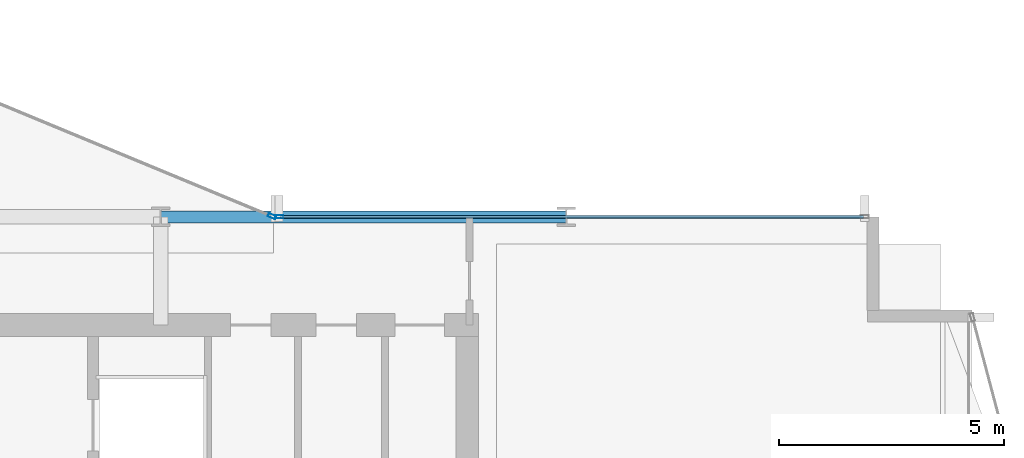
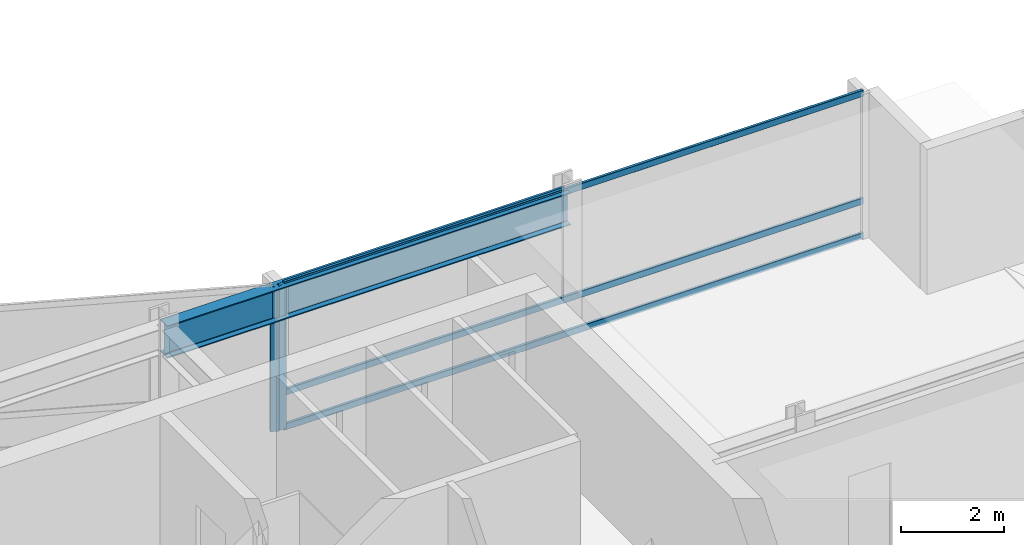
# One storey, part 13 of 28: 5 members, 1 beam, 2 elements without a shape of their own.
"""IFC4 building model written with IfcOpenShell, lengths in metres."""

from ifc_helpers import new_model, si_unit, direction, frame, origin, origin_2d, place, context, subcontext, project, spatial, hollow_rectangle, i_section, extrude, material, layer, layer_set, material_profile, profile_set, type_object, element, aggregate, save


model = new_model("IFC4")

# Units and contexts
model_context = context("Model", 3, precision=1e-05, world=origin(), true_north=direction((0.0, 1.0)))
body_context = subcontext(model_context, "Body", "Model", "MODEL_VIEW")
ifc_project = project(units=[si_unit("LENGTHUNIT", "METRE"), si_unit("AREAUNIT", "SQUARE_METRE"), si_unit("VOLUMEUNIT", "CUBIC_METRE"), si_unit("PLANEANGLEUNIT", "RADIAN"), si_unit("MASSUNIT", "GRAM", prefix="KILO")], contexts=[model_context])

# Site, building, storey
site_placement = place(None, origin())
site = spatial("IfcSite", under=ifc_project, at=site_placement, CompositionType="ELEMENT")
building_placement = place(site_placement, origin())
building = spatial("IfcBuilding", under=site, at=building_placement, Name="Solvaryn Broadcast Tower", CompositionType="ELEMENT")
storey_placement = place(building_placement, frame((0.0, 0.0, 154.39990234375)))
storey = spatial("IfcBuildingStorey", under=building, at=storey_placement, Name="L38", CompositionType="ELEMENT", Elevation=154.39990234375)

# Beam
ifc_material_1 = material(Name="Steel ASTM A992 Grade 50", Category="steel")
ifc_material_profile_1 = material_profile(ifc_material_1, i_section(OverallWidth=0.26708984375, OverallDepth=0.76611328125, WebThickness=0.014892578125, FlangeThickness=0.023681640625, FilletRadius=0.01806640625, at=origin_2d()))
ifc_profile_set_1 = profile_set([ifc_material_profile_1], Name="Steel ASTM A992 Grade 50")
beam_type = type_object("IfcBeamType", Name="BM-SP2-W30X124", PredefinedType="USERDEFINED", material=ifc_profile_set_1)
beam_placement = place(storey_placement, frame((36.0, 27.0, 3.037109375), z_axis=(1.0, 0.0, 0.0), x_axis=(0.0, 1.0, 0.0)))
element("IfcBeam", 1, at=beam_placement, inside=storey, type_object=beam_type, Name="L38 Spandrel Beam X (36-45 @ Y=27)", ObjectType="SPANDREL", PredefinedType="USERDEFINED", context=body_context, shape_type="SweptSolid", body=[
    extrude(i_section(OverallWidth=0.26708984375, OverallDepth=0.76611328125, WebThickness=0.014892578125, FlangeThickness=0.023681640625, FilletRadius=0.01806640625, at=origin_2d()), origin(), (0.0, 0.0, 1.0), 9.0),
])

# Curtain wall, member
ifc_material_2 = material(Name="Aluminium and Terracotta Unitised Curtain Wall", Category="masonry")
ifc_layer = layer(ifc_material_2, 0.199951171875)
ifc_layer_set = layer_set([ifc_layer], Name="CW-SYS2-LOWMID")
curtain_wall_type = type_object("IfcCurtainWallType", Name="CW-SYS2-LOWMID", PredefinedType="NOTDEFINED", material=ifc_layer_set)
curtain_wall_1_placement = place(storey_placement, origin())
curtain_wall_1 = element("IfcCurtainWall", 2, at=curtain_wall_1_placement, inside=storey, type_object=curtain_wall_type, Name="L38 Curtain Wall CN1", PredefinedType="NOTDEFINED")
ifc_material_3 = material(Name="Anodised Aluminium 6063-T6", Category="aluminium")
ifc_material_profile_2 = material_profile(ifc_material_3, hollow_rectangle(XDim=0.074951171875, YDim=0.179931640625, WallThickness=0.00390625, InnerFilletRadius=0.00390625, OuterFilletRadius=0.008056640625, at=origin_2d()))
ifc_profile_set_2 = profile_set([ifc_material_profile_2], Name="Anodised Aluminium 6063-T6")
member_type_1 = type_object("IfcMemberType", Name="CW-MUL-180", PredefinedType="MULLION", material=ifc_profile_set_2)
member_1_placement = place(storey_placement, frame((38.47216796875, 27.011474609375, 0.0), z_axis=(0.0, 0.0, 1.0), x_axis=(-0.382646127145, -0.923894983957, 0.0)))
member_1 = element("IfcMember", 3, at=member_1_placement, type_object=member_type_1, Name="CWS2 mullion 1", PredefinedType="MULLION", context=body_context, shape_type="SweptSolid", body=[
    extrude(hollow_rectangle(XDim=0.074951171875, YDim=0.179931640625, WallThickness=0.00390625, InnerFilletRadius=0.00390625, OuterFilletRadius=0.008056640625, at=origin_2d()), origin(), (0.0, 0.0, 1.0), 3.420166015625),
])
aggregate(curtain_wall_1, [member_1])

# Curtain wall, members
curtain_wall_2_placement = place(storey_placement, origin())
curtain_wall_2 = element("IfcCurtainWall", 4, at=curtain_wall_2_placement, inside=storey, type_object=curtain_wall_type, Name="L38 Curtain Wall IH", PredefinedType="NOTDEFINED")
member_2_placement = place(storey_placement, frame((38.6298828125, 27.0, 0.0), z_axis=(0.0, 0.0, 1.0), x_axis=(0.0, 1.0, 0.0)))
member_2 = element("IfcMember", 5, at=member_2_placement, type_object=member_type_1, Name="CWS2 mullion 1", PredefinedType="MULLION", context=body_context, shape_type="SweptSolid", body=[
    extrude(hollow_rectangle(XDim=0.074951171875, YDim=0.179931640625, WallThickness=0.00390625, InnerFilletRadius=0.00390625, OuterFilletRadius=0.008056640625, at=origin_2d()), origin(), (0.0, 0.0, 1.0), 3.420166015625),
])
ifc_material_4 = material(Name="Anodised Aluminium 6063-T6", Category="aluminium")
ifc_material_profile_3 = material_profile(ifc_material_4, hollow_rectangle(XDim=0.06494140625, YDim=0.14990234375, WallThickness=0.00390625, InnerFilletRadius=0.00390625, OuterFilletRadius=0.008056640625, at=origin_2d()))
ifc_profile_set_3 = profile_set([ifc_material_profile_3], Name="Anodised Aluminium 6063-T6")
member_type_2 = type_object("IfcMemberType", Name="CW-TRN-150", PredefinedType="USERDEFINED", material=ifc_profile_set_3)
member_3_placement = place(storey_placement, frame((38.659912109375, 27.0, 0.030029296875), z_axis=(1.0, 0.0, 0.0), x_axis=(0.0, 1.0, 0.0)))
member_3 = element("IfcMember", 6, at=member_3_placement, type_object=member_type_2, Name="CWS2 transom 1.1", ObjectType="TRANSOM", PredefinedType="USERDEFINED", context=body_context, shape_type="SweptSolid", body=[
    extrude(hollow_rectangle(XDim=0.06494140625, YDim=0.14990234375, WallThickness=0.00390625, InnerFilletRadius=0.00390625, OuterFilletRadius=0.008056640625, at=origin_2d()), origin(), (0.0, 0.0, 1.0), 12.93017578125),
])
member_4_placement = place(storey_placement, frame((38.659912109375, 27.0, 0.85009765625), z_axis=(1.0, 0.0, 0.0), x_axis=(0.0, 1.0, 0.0)))
member_4 = element("IfcMember", 7, at=member_4_placement, type_object=member_type_2, Name="CWS2 transom 1.2", ObjectType="TRANSOM", PredefinedType="USERDEFINED", context=body_context, shape_type="SweptSolid", body=[
    extrude(hollow_rectangle(XDim=0.06494140625, YDim=0.14990234375, WallThickness=0.00390625, InnerFilletRadius=0.00390625, OuterFilletRadius=0.008056640625, at=origin_2d()), origin(), (0.0, 0.0, 1.0), 12.93017578125),
])
member_5_placement = place(storey_placement, frame((38.659912109375, 27.0, 3.39013671875), z_axis=(1.0, 0.0, 0.0), x_axis=(0.0, 1.0, 0.0)))
member_5 = element("IfcMember", 8, at=member_5_placement, type_object=member_type_2, Name="CWS2 transom 1.3", ObjectType="TRANSOM", PredefinedType="USERDEFINED", context=body_context, shape_type="SweptSolid", body=[
    extrude(hollow_rectangle(XDim=0.06494140625, YDim=0.14990234375, WallThickness=0.00390625, InnerFilletRadius=0.00390625, OuterFilletRadius=0.008056640625, at=origin_2d()), origin(), (0.0, 0.0, 1.0), 12.93017578125),
])
aggregate(curtain_wall_2, [member_2, member_3, member_4, member_5])

save(model, "model.ifc")
